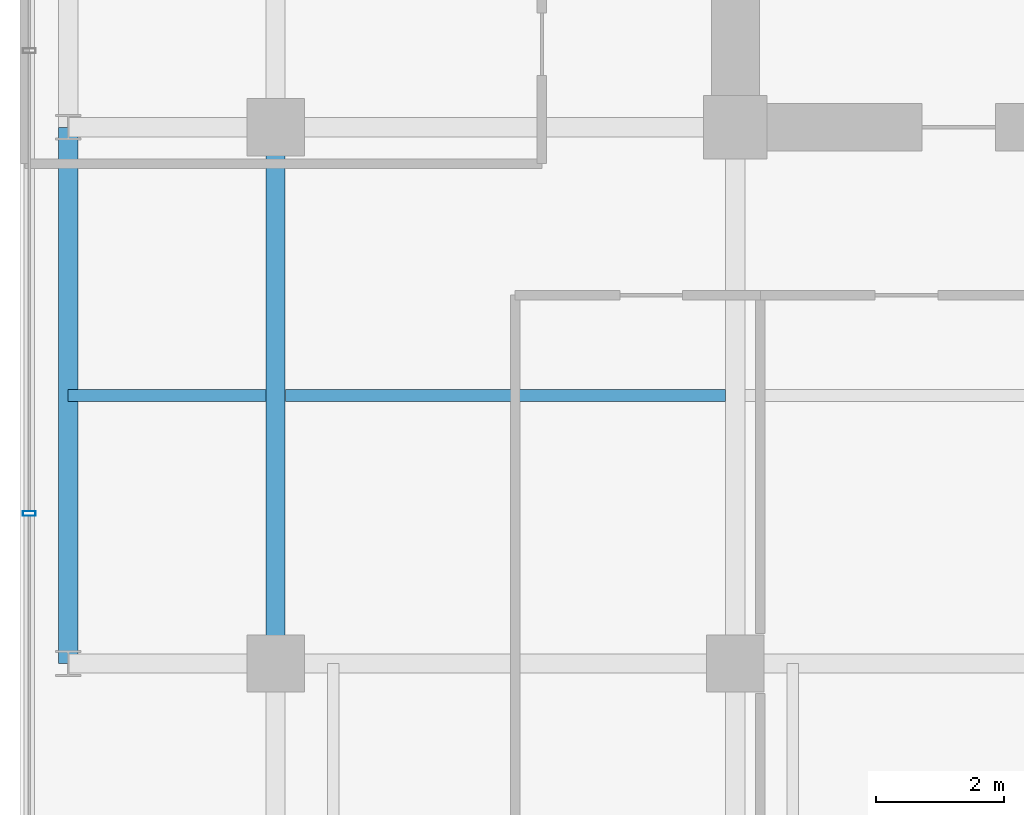
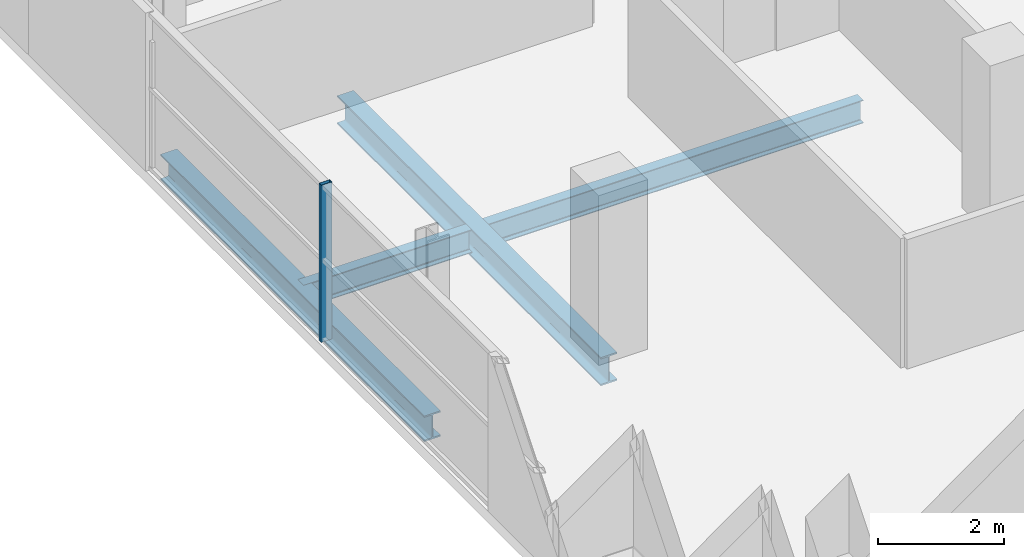
# One storey, part 4 of 24: 4 beams, 1 member, 1 element without a shape of its own.
"""IFC4 building model written with IfcOpenShell, lengths in metres."""

from ifc_helpers import new_model, si_unit, direction, frame, origin, origin_2d, place, context, subcontext, project, spatial, hollow_rectangle, i_section, extrude, source, transform, mapped, material, layer, layer_set, material_profile, profile_set, type_object, element, aggregate, save


model = new_model("IFC4")

# Units and contexts
model_context = context("Model", 3, precision=1e-05, world=origin(), true_north=direction((0.0, 1.0)))
body_context = subcontext(model_context, "Body", "Model", "MODEL_VIEW")
ifc_project = project(units=[si_unit("LENGTHUNIT", "METRE"), si_unit("AREAUNIT", "SQUARE_METRE"), si_unit("VOLUMEUNIT", "CUBIC_METRE"), si_unit("PLANEANGLEUNIT", "RADIAN"), si_unit("MASSUNIT", "GRAM", prefix="KILO")], contexts=[model_context])

# Site, building, storey
site_placement = place(None, origin())
site = spatial("IfcSite", under=ifc_project, at=site_placement, CompositionType="ELEMENT")
building_placement = place(site_placement, origin())
building = spatial("IfcBuilding", under=site, at=building_placement, Name="Zarnakvel Exchange Tower", CompositionType="ELEMENT")
storey_placement = place(building_placement, frame((0.0, 0.0, 119.800048828125)))
storey = spatial("IfcBuildingStorey", under=building, at=storey_placement, Name="L33", CompositionType="ELEMENT", Elevation=119.800048828125)

# Beams
ifc_material_1 = material(Name="Steel S355", Category="steel")
ifc_material_profile_1 = material_profile(ifc_material_1, i_section(OverallWidth=0.18994140625, OverallDepth=0.449951171875, WebThickness=0.009521484375, FlangeThickness=0.0146484375, FilletRadius=0.02099609375, at=origin_2d()))
ifc_profile_set_1 = profile_set([ifc_material_profile_1], Name="Steel S355")
beam_type_1 = type_object("IfcBeamType", Name="B-05", PredefinedType="JOIST", material=ifc_profile_set_1)
beam_1_placement = place(storey_placement, frame((-24.85009765625, -5.39990234375, -0.449951171875), z_axis=(1.0, 0.0, 0.0), x_axis=(0.0, 1.0, 0.0)))
element("IfcBeam", 1, at=beam_1_placement, inside=storey, type_object=beam_type_1, Name="L33 Composite Floor Secondary Joist", PredefinedType="JOIST", context=body_context, shape_type="SweptSolid", body=[
    extrude(i_section(OverallWidth=0.18994140625, OverallDepth=0.449951171875, WebThickness=0.009521484375, FlangeThickness=0.0146484375, FilletRadius=0.02099609375, at=origin_2d()), origin(), (0.0, 0.0, 1.0), 3.10009765625),
])
beam_2_placement = place(storey_placement, frame((-21.449951171875, -5.39990234375, -0.449951171875), z_axis=(1.0, 0.0, 0.0), x_axis=(0.0, 1.0, 0.0)))
element("IfcBeam", 2, at=beam_2_placement, inside=storey, type_object=beam_type_1, Name="L33 Composite Floor Secondary Joist", PredefinedType="JOIST", context=body_context, shape_type="SweptSolid", body=[
    extrude(i_section(OverallWidth=0.18994140625, OverallDepth=0.449951171875, WebThickness=0.009521484375, FlangeThickness=0.0146484375, FilletRadius=0.02099609375, at=origin_2d()), origin(), (0.0, 0.0, 1.0), 6.89990234375),
])
ifc_material_profile_2 = material_profile(ifc_material_1, i_section(OverallWidth=0.300048828125, OverallDepth=0.550048828125, WebThickness=0.014892578125, FlangeThickness=0.029052734375, FilletRadius=0.027099609375, at=origin_2d()))
ifc_profile_set_2 = profile_set([ifc_material_profile_2], Name="Steel S355")
beam_type_2 = type_object("IfcBeamType", Name="G-05", PredefinedType="BEAM", material=ifc_profile_set_2)
beam_3_placement = place(storey_placement, frame((-21.60009765625, -9.60009765625, -0.5), z_axis=(0.0, 1.0, 0.0), x_axis=(-1.0, 0.0, 0.0)))
element("IfcBeam", 3, at=beam_3_placement, inside=storey, type_object=beam_type_2, Name="L33 Tower N-S Frame Beam", PredefinedType="BEAM", context=body_context, shape_type="SweptSolid", body=[
    extrude(i_section(OverallWidth=0.300048828125, OverallDepth=0.550048828125, WebThickness=0.014892578125, FlangeThickness=0.029052734375, FilletRadius=0.027099609375, at=origin_2d()), origin(), (0.0, 0.0, 1.0), 8.400146484375),
])
ifc_material_profile_3 = material_profile(ifc_material_1, i_section(OverallWidth=0.300048828125, OverallDepth=0.5, WebThickness=0.014404296875, FlangeThickness=0.028076171875, FilletRadius=0.027099609375, at=origin_2d()))
ifc_profile_set_3 = profile_set([ifc_material_profile_3], Name="Steel S355")
beam_type_3 = type_object("IfcBeamType", Name="SP-02", PredefinedType="SPANDREL", material=ifc_profile_set_3)
beam_4_placement = place(storey_placement, frame((-24.85009765625, -9.60009765625, -0.47509765625), z_axis=(0.0, 1.0, 0.0), x_axis=(-1.0, 0.0, 0.0)))
element("IfcBeam", 4, at=beam_4_placement, inside=storey, type_object=beam_type_3, Name="L33 Tower N-S Frame Beam", PredefinedType="SPANDREL", context=body_context, shape_type="SweptSolid", body=[
    extrude(i_section(OverallWidth=0.300048828125, OverallDepth=0.5, WebThickness=0.014404296875, FlangeThickness=0.028076171875, FilletRadius=0.027099609375, at=origin_2d()), origin(), (0.0, 0.0, 1.0), 8.400146484375),
])

# Curtain wall, member
ifc_material_2 = material(Name="Architectural Bronze Anodised Aluminium", Category="aluminium")
ifc_layer = layer(ifc_material_2, 0.199951171875)
ifc_layer_set = layer_set([ifc_layer], Name="Architectural Bronze Anodised Aluminium")
curtain_wall_type = type_object("IfcCurtainWallType", Name="CW-04", PredefinedType="NOTDEFINED", material=ifc_layer_set)
curtain_wall_placement = place(storey_placement, origin())
curtain_wall = element("IfcCurtainWall", 5, at=curtain_wall_placement, inside=storey, type_object=curtain_wall_type, Name="L33 Curtain Wall CW-L33-W1 (CW-04)", PredefinedType="NOTDEFINED")
ifc_material_profile_4 = material_profile(ifc_material_2, hollow_rectangle(XDim=0.199951171875, YDim=0.074951171875, WallThickness=0.0048828125, at=origin_2d()))
ifc_profile_set_4 = profile_set([ifc_material_profile_4], Name="Architectural Bronze Anodised Aluminium")
member_type = type_object("IfcMemberType", Name="CWM-04", PredefinedType="MULLION", material=ifc_profile_set_4)
shared_shape = source(origin(), body_context, "Body", "SweptSolid", [
    extrude(hollow_rectangle(XDim=0.199951171875, YDim=0.074951171875, WallThickness=0.0048828125, at=origin_2d()), origin(), (0.0, 0.0, 1.0), 3.054931640625),
])
member_placement = place(storey_placement, frame((-25.4599609375, -7.25, 0.0), z_axis=(0.0, 0.0, 1.0), x_axis=(-1.0, 0.0, 0.0)))
member = element("IfcMember", 6, at=member_placement, type_object=member_type, Name="CW-04 mullion 2", PredefinedType="MULLION", context=body_context, shape_type="MappedRepresentation", body=[
    mapped(shared_shape, transform((0.0, 0.0, 0.0), x_axis=(1.0, 0.0, 0.0), y_axis=(0.0, 1.0, 0.0), z_axis=(0.0, 0.0, 1.0), scale=1.0)),
])
aggregate(curtain_wall, [member])

save(model, "model.ifc")
